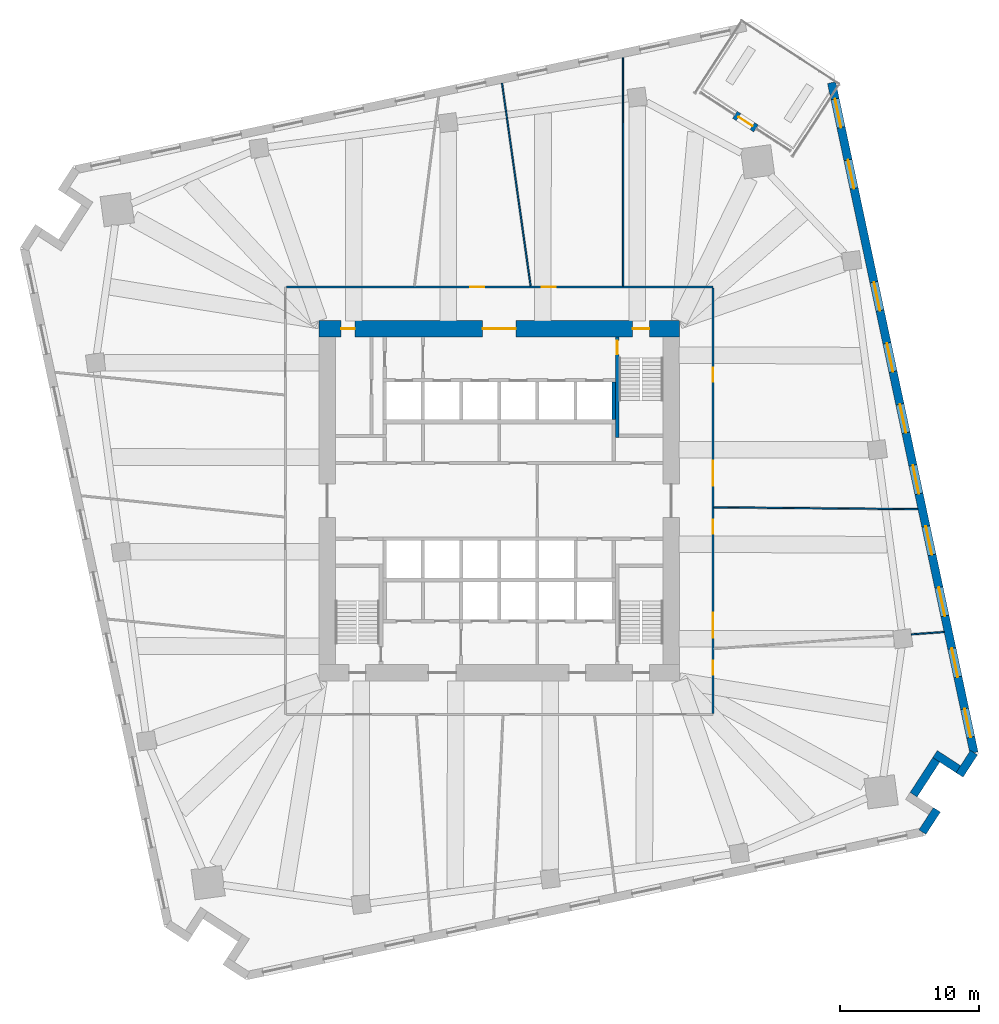
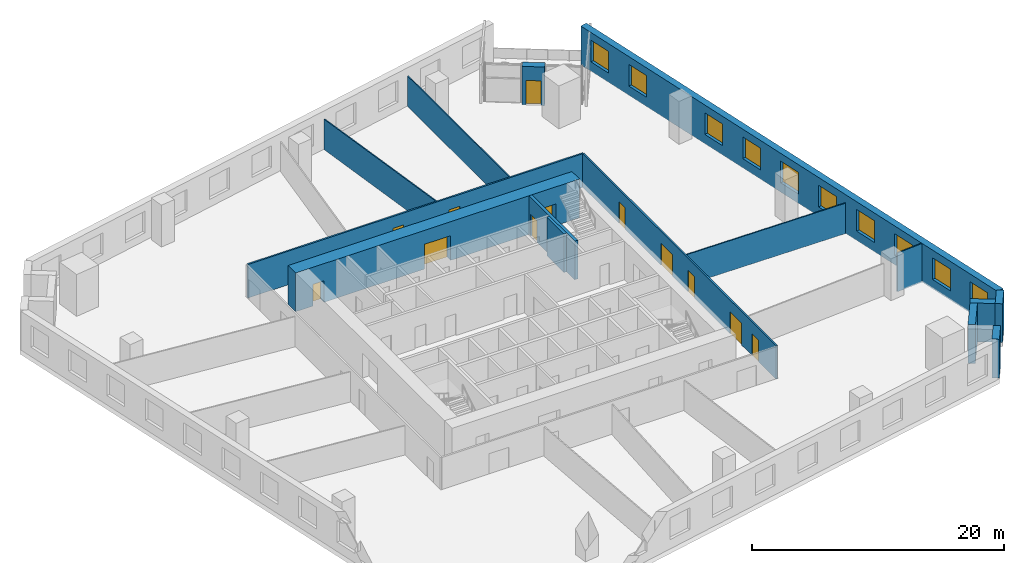
# One storey, part 7 of 10: 15 walls, 12 doors, 10 windows, 22 openings.
"""IFC4 building model written with IfcOpenShell, lengths in metres."""

from ifc_helpers import new_model, si_unit, direction, frame, frame_2d, origin, place, context, subcontext, project, spatial, rectangle, extrude, material, layer, layer_set, type_object, element, fill, save


model = new_model("IFC4")

# Units and contexts
model_context = context("Model", 3, precision=1e-05, world=origin(), true_north=direction((0.0, 1.0)))
body_context = subcontext(model_context, "Body", "Model", "MODEL_VIEW")
ifc_project = project(units=[si_unit("LENGTHUNIT", "METRE"), si_unit("AREAUNIT", "SQUARE_METRE"), si_unit("VOLUMEUNIT", "CUBIC_METRE"), si_unit("PLANEANGLEUNIT", "RADIAN"), si_unit("MASSUNIT", "GRAM", prefix="KILO")], contexts=[model_context])

# Site, building, storey
site_placement = place(None, origin())
site = spatial("IfcSite", under=ifc_project, at=site_placement, CompositionType="ELEMENT")
building_placement = place(site_placement, origin())
building = spatial("IfcBuilding", under=site, at=building_placement, Name="Dilmun Exchange Tower", CompositionType="ELEMENT")
storey_placement = place(building_placement, frame((0.0, 0.0, 72.300048828125)))
storey = spatial("IfcBuildingStorey", under=building, at=storey_placement, Name="L16", CompositionType="ELEMENT", Elevation=72.300048828125)

# Wall, openings, doors
ifc_material_1 = material(Name="Concrete C80/95", Category="concrete")
ifc_layer_1 = layer(ifc_material_1, 1.199951171875)
ifc_layer_set_1 = layer_set([ifc_layer_1], Name="Concrete C80/95")
wall_type_1 = type_object("IfcWallType", Name="Core shear wall 1200 Concrete C80/95", PredefinedType="SHEAR", material=ifc_layer_set_1)
wall_1_placement = place(storey_placement, frame((-13.0, 12.39990234375, 0.0), z_axis=(0.0, 0.0, 1.0), x_axis=(1.0, 0.0, 0.0)))
wall_1 = element("IfcWall", 1, at=wall_1_placement, inside=storey, type_object=wall_type_1, Name="L16 core shear wall N", PredefinedType="SHEAR", context=body_context, shape_type="SweptSolid", body=[
    extrude(rectangle(XDim=26.0, YDim=1.199951171875, at=frame_2d((13.0, 0.0))), origin(), (0.0, 0.0, 1.0), 3.75),
])
opening_1_placement = place(wall_1_placement, frame((11.800048828125, 0.0, 0.0)))
opening_1 = element("IfcOpeningElement", 2, at=opening_1_placement, cuts=wall_1, Name="Opening CD1", PredefinedType="OPENING", context=body_context, shape_type="SweptSolid", body=[
    extrude(rectangle(XDim=2.39990234375, YDim=2.39990234375, at=frame_2d((1.199951171875, 1.199951171875))), frame((0.0, 0.60986328125, 0.0), z_axis=(0.0, -1.0, 0.0), x_axis=(1.0, 0.0, 0.0)), (0.0, 0.0, 1.0), 1.219970703125),
])
opening_2_placement = place(wall_1_placement, frame((22.625, 0.0, 0.0)))
opening_2 = element("IfcOpeningElement", 3, at=opening_2_placement, cuts=wall_1, Name="Opening CD3", PredefinedType="OPENING", context=body_context, shape_type="SweptSolid", body=[
    extrude(rectangle(XDim=1.199951171875, YDim=2.10009765625, at=frame_2d((0.60009765625, 1.050048828125))), frame((0.0, 0.60986328125, 0.0), z_axis=(0.0, -1.0, 0.0), x_axis=(1.0, 0.0, 0.0)), (0.0, 0.0, 1.0), 1.219970703125),
])
opening_3_placement = place(wall_1_placement, frame((1.60009765625, 0.0, 0.0)))
opening_3 = element("IfcOpeningElement", 4, at=opening_3_placement, cuts=wall_1, Name="Opening CD4", PredefinedType="OPENING", context=body_context, shape_type="SweptSolid", body=[
    extrude(rectangle(XDim=1.0, YDim=2.10009765625, at=frame_2d((0.5, 1.050048828125))), frame((0.0, 0.60986328125, 0.0), z_axis=(0.0, -1.0, 0.0), x_axis=(1.0, 0.0, 0.0)), (0.0, 0.0, 1.0), 1.219970703125),
])
ifc_material_2 = material(Name="Fire-rated steel door set", Category="steel")
door_type_1 = type_object("IfcDoorType", Name="Core lobby door 2400x2400", OperationType="DOUBLE_DOOR_DOUBLE_SWING", PredefinedType="DOOR", material=ifc_material_2)
door_1_placement = place(opening_1_placement, origin())
door_1 = element("IfcDoor", 5, at=door_1_placement, inside=storey, type_object=door_type_1, Name="L16 door North lift lobby", OperationType="SINGLE_SWING_LEFT", OverallHeight=2.39990234375, OverallWidth=2.39990234375, PredefinedType="DOOR", context=body_context, shape_type="SweptSolid", body=[
    extrude(rectangle(XDim=2.39990234375, YDim=2.39990234375, at=frame_2d((1.199951171875, 1.199951171875))), frame((0.0, 0.02490234375, 0.0), z_axis=(0.0, -1.0, 0.0), x_axis=(1.0, 0.0, 0.0)), (0.0, 0.0, 1.0), 0.050048828125),
])
fill(opening_1, door_1)
door_type_2 = type_object("IfcDoorType", Name="Core room door 1000x2100", OperationType="SINGLE_SWING_LEFT", PredefinedType="DOOR", material=ifc_material_2)
door_2_placement = place(opening_3_placement, origin())
door_2 = element("IfcDoor", 6, at=door_2_placement, inside=storey, type_object=door_type_2, Name="L16 door North-west core rooms", OperationType="SINGLE_SWING_LEFT", OverallHeight=2.10009765625, OverallWidth=1.0, PredefinedType="DOOR", context=body_context, shape_type="SweptSolid", body=[
    extrude(rectangle(XDim=1.0, YDim=2.10009765625, at=frame_2d((0.5, 1.050048828125))), frame((0.0, 0.02490234375, 0.0), z_axis=(0.0, -1.0, 0.0), x_axis=(1.0, 0.0, 0.0)), (0.0, 0.0, 1.0), 0.050048828125),
])
fill(opening_3, door_2)
door_type_3 = type_object("IfcDoorType", Name="Stair exit door 1200x2100", OperationType="SINGLE_SWING_LEFT", PredefinedType="DOOR", material=ifc_material_2)
door_3_placement = place(opening_2_placement, origin())
door_3 = element("IfcDoor", 7, at=door_3_placement, inside=storey, type_object=door_type_3, Name="L16 door Stair ST1", OperationType="SINGLE_SWING_LEFT", OverallHeight=2.10009765625, OverallWidth=1.199951171875, PredefinedType="DOOR", context=body_context, shape_type="SweptSolid", body=[
    extrude(rectangle(XDim=1.199951171875, YDim=2.10009765625, at=frame_2d((0.60009765625, 1.050048828125))), frame((0.0, 0.02490234375, 0.0), z_axis=(0.0, -1.0, 0.0), x_axis=(1.0, 0.0, 0.0)), (0.0, 0.0, 1.0), 0.050048828125),
])
fill(opening_2, door_3)

ifc_material_3 = material(Name="Corridor wall 150")
ifc_layer_2 = layer(ifc_material_3, 0.14990234375)
ifc_layer_set_2 = layer_set([ifc_layer_2], Name="Corridor wall 150")
wall_type_2 = type_object("IfcWallType", Name="Corridor wall 150", PredefinedType="PARTITIONING", material=ifc_layer_set_2)
wall_2_placement = place(storey_placement, frame((-15.324951171875, 15.39990234375, 0.0), z_axis=(0.0, 0.0, 1.0), x_axis=(1.0, 0.0, 0.0)))
wall_2 = element("IfcWall", 8, at=wall_2_placement, inside=storey, type_object=wall_type_2, Name="Corridor wall", PredefinedType="PARTITIONING", context=body_context, shape_type="SweptSolid", body=[
    extrude(rectangle(XDim=30.724853515625, YDim=0.14990234375, at=frame_2d((15.3623046875, 0.0))), origin(), (0.0, 0.0, 1.0), 3.25),
])
opening_4_placement = place(wall_2_placement, frame((13.251953125, 0.0, 0.0)))
opening_4 = element("IfcOpeningElement", 9, at=opening_4_placement, cuts=wall_2, Name="Opening TF15-D08", PredefinedType="OPENING", context=body_context, shape_type="SweptSolid", body=[
    extrude(rectangle(XDim=1.0, YDim=2.10009765625, at=frame_2d((0.5, 1.050048828125))), frame((0.0, 0.0849609375, 0.0), z_axis=(0.0, -1.0, 0.0), x_axis=(1.0, 0.0, 0.0)), (0.0, 0.0, 1.0), 0.169921875),
])
opening_5_placement = place(wall_2_placement, frame((18.39501953125, 0.0, 0.0)))
opening_5 = element("IfcOpeningElement", 10, at=opening_5_placement, cuts=wall_2, Name="Opening TF15-D10", PredefinedType="OPENING", context=body_context, shape_type="SweptSolid", body=[
    extrude(rectangle(XDim=1.0, YDim=2.10009765625, at=frame_2d((0.5, 1.050048828125))), frame((0.0, 0.0849609375, 0.0), z_axis=(0.0, -1.0, 0.0), x_axis=(1.0, 0.0, 0.0)), (0.0, 0.0, 1.0), 0.169921875),
])
ifc_material_4 = material(Name="Fire door 1000 x 2100")
door_type_4 = type_object("IfcDoorType", Name="Fire door 1000 x 2100", OperationType="NOTDEFINED", PredefinedType="DOOR", material=ifc_material_4)
door_4_placement = place(opening_4_placement, origin())
door_4 = element("IfcDoor", 11, at=door_4_placement, inside=storey, type_object=door_type_4, Name="Door TF15-D08", OperationType="SINGLE_SWING_RIGHT", OverallHeight=2.10009765625, OverallWidth=1.0, PredefinedType="DOOR", context=body_context, shape_type="SweptSolid", body=[
    extrude(rectangle(XDim=1.0, YDim=2.10009765625, at=frame_2d((0.5, 1.050048828125))), frame((0.0, 0.02490234375, 0.0), z_axis=(0.0, -1.0, 0.0), x_axis=(1.0, 0.0, 0.0)), (0.0, 0.0, 1.0), 0.050048828125),
])
fill(opening_4, door_4)
door_5_placement = place(opening_5_placement, origin())
door_5 = element("IfcDoor", 12, at=door_5_placement, inside=storey, type_object=door_type_4, Name="Door TF15-D10", OperationType="SINGLE_SWING_LEFT", OverallHeight=2.10009765625, OverallWidth=1.0, PredefinedType="DOOR", context=body_context, shape_type="SweptSolid", body=[
    extrude(rectangle(XDim=1.0, YDim=2.10009765625, at=frame_2d((0.5, 1.050048828125))), frame((0.0, 0.02490234375, 0.0), z_axis=(0.0, -1.0, 0.0), x_axis=(1.0, 0.0, 0.0)), (0.0, 0.0, 1.0), 0.050048828125),
])
fill(opening_5, door_5)

wall_3_placement = place(storey_placement, frame((15.39990234375, -15.324951171875, 0.0), z_axis=(0.0, 0.0, 1.0), x_axis=(0.0, 1.0, 0.0)))
wall_3 = element("IfcWall", 13, at=wall_3_placement, inside=storey, type_object=wall_type_2, Name="Corridor wall", PredefinedType="PARTITIONING", context=body_context, shape_type="SweptSolid", body=[
    extrude(rectangle(XDim=30.64990234375, YDim=0.14990234375, at=frame_2d((15.324951171875, 0.0))), origin(), (0.0, 0.0, 1.0), 3.25),
])
opening_6_placement = place(wall_3_placement, frame((16.405029296875, 0.0, 0.0)))
opening_6 = element("IfcOpeningElement", 14, at=opening_6_placement, cuts=wall_3, Name="Opening TF15-D11", PredefinedType="OPENING", context=body_context, shape_type="SweptSolid", body=[
    extrude(rectangle(XDim=1.800048828125, YDim=2.10009765625, at=frame_2d((0.89990234375, 1.050048828125))), frame((0.0, 0.0849609375, 0.0), z_axis=(0.0, -1.0, 0.0), x_axis=(1.0, 0.0, 0.0)), (0.0, 0.0, 1.0), 0.169921875),
])
opening_7_placement = place(wall_3_placement, frame((23.905029296875, 0.0, 0.0)))
opening_7 = element("IfcOpeningElement", 15, at=opening_7_placement, cuts=wall_3, Name="Opening TF15-D12", PredefinedType="OPENING", context=body_context, shape_type="SweptSolid", body=[
    extrude(rectangle(XDim=1.0, YDim=2.10009765625, at=frame_2d((0.5, 1.050048828125))), frame((0.0, 0.0849609375, 0.0), z_axis=(0.0, -1.0, 0.0), x_axis=(1.0, 0.0, 0.0)), (0.0, 0.0, 1.0), 0.169921875),
])
opening_8_placement = place(wall_3_placement, frame((2.800048828125, 0.0, 0.0)))
opening_8 = element("IfcOpeningElement", 16, at=opening_8_placement, cuts=wall_3, Name="Opening TF15-D14", PredefinedType="OPENING", context=body_context, shape_type="SweptSolid", body=[
    extrude(rectangle(XDim=1.0, YDim=2.10009765625, at=frame_2d((0.5, 1.050048828125))), frame((0.0, 0.0849609375, 0.0), z_axis=(0.0, -1.0, 0.0), x_axis=(1.0, 0.0, 0.0)), (0.0, 0.0, 1.0), 0.169921875),
])
opening_9_placement = place(wall_3_placement, frame((5.454833984375, 0.0, 0.0)))
opening_9 = element("IfcOpeningElement", 17, at=opening_9_placement, cuts=wall_3, Name="Opening TF15-D15", PredefinedType="OPENING", context=body_context, shape_type="SweptSolid", body=[
    extrude(rectangle(XDim=1.800048828125, YDim=2.10009765625, at=frame_2d((0.89990234375, 1.050048828125))), frame((0.0, 0.0849609375, 0.0), z_axis=(0.0, -1.0, 0.0), x_axis=(1.0, 0.0, 0.0)), (0.0, 0.0, 1.0), 0.169921875),
])
opening_10_placement = place(wall_3_placement, frame((12.954833984375, 0.0, 0.0)))
opening_10 = element("IfcOpeningElement", 18, at=opening_10_placement, cuts=wall_3, Name="Opening TF15-D16", PredefinedType="OPENING", context=body_context, shape_type="SweptSolid", body=[
    extrude(rectangle(XDim=1.0, YDim=2.10009765625, at=frame_2d((0.5, 1.050048828125))), frame((0.0, 0.0849609375, 0.0), z_axis=(0.0, -1.0, 0.0), x_axis=(1.0, 0.0, 0.0)), (0.0, 0.0, 1.0), 0.169921875),
])
door_6_placement = place(opening_7_placement, frame((1.0, 0.0, 0.0), z_axis=(0.0, 0.0, 1.0), x_axis=(-1.0, 0.0, 0.0)))
door_6 = element("IfcDoor", 19, at=door_6_placement, inside=storey, type_object=door_type_4, Name="Door TF15-D12", OperationType="SINGLE_SWING_RIGHT", OverallHeight=2.10009765625, OverallWidth=1.0, PredefinedType="DOOR", context=body_context, shape_type="SweptSolid", body=[
    extrude(rectangle(XDim=1.0, YDim=2.10009765625, at=frame_2d((0.5, 1.050048828125))), frame((0.0, 0.02490234375, 0.0), z_axis=(0.0, -1.0, 0.0), x_axis=(1.0, 0.0, 0.0)), (0.0, 0.0, 1.0), 0.050048828125),
])
fill(opening_7, door_6)
door_7_placement = place(opening_8_placement, frame((1.0, 0.0, 0.0), z_axis=(0.0, 0.0, 1.0), x_axis=(-1.0, 0.0, 0.0)))
door_7 = element("IfcDoor", 20, at=door_7_placement, inside=storey, type_object=door_type_4, Name="Door TF15-D14", OperationType="SINGLE_SWING_LEFT", OverallHeight=2.10009765625, OverallWidth=1.0, PredefinedType="DOOR", context=body_context, shape_type="SweptSolid", body=[
    extrude(rectangle(XDim=1.0, YDim=2.10009765625, at=frame_2d((0.5, 1.050048828125))), frame((0.0, 0.02490234375, 0.0), z_axis=(0.0, -1.0, 0.0), x_axis=(1.0, 0.0, 0.0)), (0.0, 0.0, 1.0), 0.050048828125),
])
fill(opening_8, door_7)
door_8_placement = place(opening_10_placement, frame((1.0, 0.0, 0.0), z_axis=(0.0, 0.0, 1.0), x_axis=(-1.0, 0.0, 0.0)))
door_8 = element("IfcDoor", 21, at=door_8_placement, inside=storey, type_object=door_type_4, Name="Door TF15-D16", OperationType="SINGLE_SWING_LEFT", OverallHeight=2.10009765625, OverallWidth=1.0, PredefinedType="DOOR", context=body_context, shape_type="SweptSolid", body=[
    extrude(rectangle(XDim=1.0, YDim=2.10009765625, at=frame_2d((0.5, 1.050048828125))), frame((0.0, 0.02490234375, 0.0), z_axis=(0.0, -1.0, 0.0), x_axis=(1.0, 0.0, 0.0)), (0.0, 0.0, 1.0), 0.050048828125),
])
fill(opening_10, door_8)
ifc_material_5 = material(Name="Fire door pair 1800 x 2100")
door_type_5 = type_object("IfcDoorType", Name="Fire door pair 1800 x 2100", OperationType="NOTDEFINED", PredefinedType="DOOR", material=ifc_material_5)
door_9_placement = place(opening_6_placement, frame((1.800048828125, 0.0, 0.0), z_axis=(0.0, 0.0, 1.0), x_axis=(-1.0, 0.0, 0.0)))
door_9 = element("IfcDoor", 22, at=door_9_placement, inside=storey, type_object=door_type_5, Name="Door TF15-D11", OperationType="DOUBLE_DOOR_SINGLE_SWING", OverallHeight=2.10009765625, OverallWidth=1.800048828125, PredefinedType="DOOR", context=body_context, shape_type="SweptSolid", body=[
    extrude(rectangle(XDim=1.800048828125, YDim=2.10009765625, at=frame_2d((0.89990234375, 1.050048828125))), frame((0.0, 0.02490234375, 0.0), z_axis=(0.0, -1.0, 0.0), x_axis=(1.0, 0.0, 0.0)), (0.0, 0.0, 1.0), 0.050048828125),
])
fill(opening_6, door_9)
door_10_placement = place(opening_9_placement, frame((1.800048828125, 0.0, 0.0), z_axis=(0.0, 0.0, 1.0), x_axis=(-1.0, 0.0, 0.0)))
door_10 = element("IfcDoor", 23, at=door_10_placement, inside=storey, type_object=door_type_5, Name="Door TF15-D15", OperationType="DOUBLE_DOOR_SINGLE_SWING", OverallHeight=2.10009765625, OverallWidth=1.800048828125, PredefinedType="DOOR", context=body_context, shape_type="SweptSolid", body=[
    extrude(rectangle(XDim=1.800048828125, YDim=2.10009765625, at=frame_2d((0.89990234375, 1.050048828125))), frame((0.0, 0.02490234375, 0.0), z_axis=(0.0, -1.0, 0.0), x_axis=(1.0, 0.0, 0.0)), (0.0, 0.0, 1.0), 0.050048828125),
])
fill(opening_9, door_10)

# Walls
ifc_material_6 = material(Name="Concrete C40/50", Category="concrete")
ifc_layer_3 = layer(ifc_material_6, 0.25)
ifc_layer_set_3 = layer_set([ifc_layer_3], Name="Concrete C40/50")
wall_type_3 = type_object("IfcWallType", Name="Lift shaft wall 250", PredefinedType="SOLIDWALL", material=ifc_layer_set_3)
wall_4_placement = place(storey_placement, frame((8.25, 5.85009765625, 0.0), z_axis=(0.0, 0.0, 1.0), x_axis=(0.0, 1.0, 0.0)))
element("IfcWall", 24, at=wall_4_placement, inside=storey, type_object=wall_type_3, Name="L16 lift shaft divider N26", PredefinedType="SOLIDWALL", context=body_context, shape_type="SweptSolid", body=[
    extrude(rectangle(XDim=2.699951171875, YDim=0.25, at=frame_2d((1.35009765625, 0.0))), origin(), (0.0, 0.0, 1.0), 3.75),
])
ifc_material_7 = material(Name="Partition 100")
ifc_layer_4 = layer(ifc_material_7, 0.10009765625)
ifc_layer_set_4 = layer_set([ifc_layer_4], Name="Partition 100")
wall_type_4 = type_object("IfcWallType", Name="Partition 100", PredefinedType="PARTITIONING", material=ifc_layer_set_4)
wall_5_placement = place(storey_placement, frame((0.204345703125, 30.09814453125, 0.0), z_axis=(0.0, 0.0, 1.0), x_axis=(0.139564003069, -0.990213052352, 0.0)))
element("IfcWall", 25, at=wall_5_placement, inside=storey, type_object=wall_type_4, Name="Partition", PredefinedType="PARTITIONING", context=body_context, shape_type="SweptSolid", body=[
    extrude(rectangle(XDim=14.7607421875, YDim=0.10009765625, at=frame_2d((7.38037109375, 0.0))), origin(), (0.0, 0.0, 1.0), 2.949951171875),
])
wall_6_placement = place(storey_placement, frame((8.92431640625, 31.95166015625, 0.0), z_axis=(0.0, 0.0, 1.0), x_axis=(0.000592697857, -0.999999824355, 0.0)))
element("IfcWall", 26, at=wall_6_placement, inside=storey, type_object=wall_type_4, Name="Partition", PredefinedType="PARTITIONING", context=body_context, shape_type="SweptSolid", body=[
    extrude(rectangle(XDim=16.4765625, YDim=0.10009765625, at=frame_2d((8.23828125, 0.0))), origin(), (0.0, 0.0, 1.0), 2.949951171875),
])
wall_7_placement = place(storey_placement, frame((15.4755859375, -0.470703125, 0.0), z_axis=(0.0, 0.0, 1.0), x_axis=(0.999958628106, -0.009096267192, 0.0)))
element("IfcWall", 27, at=wall_7_placement, inside=storey, type_object=wall_type_4, Name="Partition", PredefinedType="PARTITIONING", context=body_context, shape_type="SweptSolid", body=[
    extrude(rectangle(XDim=14.7080078125, YDim=0.10009765625, at=frame_2d((7.35400390625, 0.0))), origin(), (0.0, 0.0, 1.0), 2.949951171875),
])
wall_8_placement = place(storey_placement, frame((29.706298828125, -9.62890625, 0.0), z_axis=(0.0, 0.0, 1.0), x_axis=(0.997355486737, 0.072677596798, 0.0)))
element("IfcWall", 28, at=wall_8_placement, inside=storey, type_object=wall_type_4, Name="Partition", PredefinedType="PARTITIONING", context=body_context, shape_type="SweptSolid", body=[
    extrude(rectangle(XDim=2.364990234375, YDim=0.10009765625, at=frame_2d((1.1826171875, 0.0))), origin(), (0.0, 0.0, 1.0), 3.75),
])
ifc_material_8 = material(Name="Precast concrete C50/60", Category="concrete")
ifc_layer_5 = layer(ifc_material_8, 0.60009765625)
ifc_layer_set_5 = layer_set([ifc_layer_5], Name="Precast concrete C50/60")
wall_type_5 = type_object("IfcWallType", Name="Precast stone-clad wall 600", PredefinedType="STANDARD", material=ifc_layer_set_5)
wall_9_placement = place(storey_placement, frame((30.507080078125, -23.87890625, 0.0), z_axis=(0.0, 0.0, 1.0), x_axis=(0.5446964617, 0.838633271825, 0.0)))
element("IfcWall", 29, at=wall_9_placement, inside=storey, type_object=wall_type_5, Name="Facade wall L16-16", PredefinedType="STANDARD", context=body_context, shape_type="SweptSolid", body=[
    extrude(rectangle(XDim=1.9111328125, YDim=0.60009765625, at=frame_2d((0.95556640625, 0.0))), origin(), (0.0, 0.0, 1.0), 3.75),
])
wall_10_placement = place(storey_placement, frame((29.87060546875, -21.186767578125, 0.0), z_axis=(0.0, 0.0, 1.0), x_axis=(0.54468796124, 0.838638792855, 0.0)))
element("IfcWall", 30, at=wall_10_placement, inside=storey, type_object=wall_type_5, Name="Facade wall L16-18", PredefinedType="STANDARD", context=body_context, shape_type="SweptSolid", body=[
    extrude(rectangle(XDim=3.0, YDim=0.60009765625, at=frame_2d((1.5, 0.0))), origin(), (0.0, 0.0, 1.0), 3.75),
])
wall_11_placement = place(storey_placement, frame((31.41650390625, -18.255859375, 0.0), z_axis=(0.0, 0.0, 1.0), x_axis=(0.838638792855, -0.54468796124, 0.0)))
element("IfcWall", 31, at=wall_11_placement, inside=storey, type_object=wall_type_5, Name="Facade wall L16-19", PredefinedType="STANDARD", context=body_context, shape_type="SweptSolid", body=[
    extrude(rectangle(XDim=2.0, YDim=0.60009765625, at=frame_2d((1.0, 0.0))), origin(), (0.0, 0.0, 1.0), 3.75),
])
wall_12_placement = place(storey_placement, frame((33.181884765625, -19.760009765625, 0.0), z_axis=(0.0, 0.0, 1.0), x_axis=(0.5446964617, 0.838633271825, 0.0)))
element("IfcWall", 32, at=wall_12_placement, inside=storey, type_object=wall_type_5, Name="Facade wall L16-20", PredefinedType="STANDARD", context=body_context, shape_type="SweptSolid", body=[
    extrude(rectangle(XDim=1.9111328125, YDim=0.60009765625, at=frame_2d((0.95556640625, 0.0))), origin(), (0.0, 0.0, 1.0), 3.75),
])

# Wall, openings, windows
wall_13_placement = place(storey_placement, frame((34.222900390625, -18.1572265625, 0.0), z_axis=(0.0, 0.0, 1.0), x_axis=(-0.207912687805, 0.978147388817, 0.0)))
wall_13 = element("IfcWall", 33, at=wall_13_placement, inside=storey, type_object=wall_type_5, Name="Facade wall L16-21", PredefinedType="STANDARD", context=body_context, shape_type="SweptSolid", body=[
    extrude(rectangle(XDim=49.3759765625, YDim=0.60009765625, at=frame_2d((24.68798828125, 0.0))), origin(), (0.0, 0.0, 1.0), 3.75),
])
opening_11_placement = place(wall_13_placement, frame((1.137939453125, 0.0, 0.89990234375)))
opening_11 = element("IfcOpeningElement", 34, at=opening_11_placement, cuts=wall_13, Name="Opening W210-210", PredefinedType="OPENING", context=body_context, shape_type="SweptSolid", body=[
    extrude(rectangle(XDim=2.10009765625, YDim=2.10009765625, at=frame_2d((1.050048828125, 1.050048828125))), frame((0.0, 0.31005859375, 0.0), z_axis=(0.0, -1.0, 0.0), x_axis=(1.0, 0.0, 0.0)), (0.0, 0.0, 1.0), 0.6201171875),
])
opening_12_placement = place(wall_13_placement, frame((5.57568359375, 0.0, 0.89990234375)))
opening_12 = element("IfcOpeningElement", 35, at=opening_12_placement, cuts=wall_13, Name="Opening W210-210", PredefinedType="OPENING", context=body_context, shape_type="SweptSolid", body=[
    extrude(rectangle(XDim=2.10009765625, YDim=2.10009765625, at=frame_2d((1.050048828125, 1.050048828125))), frame((0.0, 0.31005859375, 0.0), z_axis=(0.0, -1.0, 0.0), x_axis=(1.0, 0.0, 0.0)), (0.0, 0.0, 1.0), 0.6201171875),
])
opening_13_placement = place(wall_13_placement, frame((10.07568359375, 0.0, 0.89990234375)))
opening_13 = element("IfcOpeningElement", 36, at=opening_13_placement, cuts=wall_13, Name="Opening W210-210", PredefinedType="OPENING", context=body_context, shape_type="SweptSolid", body=[
    extrude(rectangle(XDim=2.10009765625, YDim=2.10009765625, at=frame_2d((1.050048828125, 1.050048828125))), frame((0.0, 0.31005859375, 0.0), z_axis=(0.0, -1.0, 0.0), x_axis=(1.0, 0.0, 0.0)), (0.0, 0.0, 1.0), 0.6201171875),
])
opening_14_placement = place(wall_13_placement, frame((14.57568359375, 0.0, 0.89990234375)))
opening_14 = element("IfcOpeningElement", 37, at=opening_14_placement, cuts=wall_13, Name="Opening W210-210", PredefinedType="OPENING", context=body_context, shape_type="SweptSolid", body=[
    extrude(rectangle(XDim=2.10009765625, YDim=2.10009765625, at=frame_2d((1.050048828125, 1.050048828125))), frame((0.0, 0.31005859375, 0.0), z_axis=(0.0, -1.0, 0.0), x_axis=(1.0, 0.0, 0.0)), (0.0, 0.0, 1.0), 0.6201171875),
])
opening_15_placement = place(wall_13_placement, frame((19.07568359375, 0.0, 0.89990234375)))
opening_15 = element("IfcOpeningElement", 38, at=opening_15_placement, cuts=wall_13, Name="Opening W210-210", PredefinedType="OPENING", context=body_context, shape_type="SweptSolid", body=[
    extrude(rectangle(XDim=2.10009765625, YDim=2.10009765625, at=frame_2d((1.050048828125, 1.050048828125))), frame((0.0, 0.31005859375, 0.0), z_axis=(0.0, -1.0, 0.0), x_axis=(1.0, 0.0, 0.0)), (0.0, 0.0, 1.0), 0.6201171875),
])
opening_16_placement = place(wall_13_placement, frame((23.57568359375, 0.0, 0.89990234375)))
opening_16 = element("IfcOpeningElement", 39, at=opening_16_placement, cuts=wall_13, Name="Opening W210-210", PredefinedType="OPENING", context=body_context, shape_type="SweptSolid", body=[
    extrude(rectangle(XDim=2.10009765625, YDim=2.10009765625, at=frame_2d((1.050048828125, 1.050048828125))), frame((0.0, 0.31005859375, 0.0), z_axis=(0.0, -1.0, 0.0), x_axis=(1.0, 0.0, 0.0)), (0.0, 0.0, 1.0), 0.6201171875),
])
opening_17_placement = place(wall_13_placement, frame((28.07568359375, 0.0, 0.89990234375)))
opening_17 = element("IfcOpeningElement", 40, at=opening_17_placement, cuts=wall_13, Name="Opening W210-210", PredefinedType="OPENING", context=body_context, shape_type="SweptSolid", body=[
    extrude(rectangle(XDim=2.10009765625, YDim=2.10009765625, at=frame_2d((1.050048828125, 1.050048828125))), frame((0.0, 0.31005859375, 0.0), z_axis=(0.0, -1.0, 0.0), x_axis=(1.0, 0.0, 0.0)), (0.0, 0.0, 1.0), 0.6201171875),
])
opening_18_placement = place(wall_13_placement, frame((32.57568359375, 0.0, 0.89990234375)))
opening_18 = element("IfcOpeningElement", 41, at=opening_18_placement, cuts=wall_13, Name="Opening W210-210", PredefinedType="OPENING", context=body_context, shape_type="SweptSolid", body=[
    extrude(rectangle(XDim=2.10009765625, YDim=2.10009765625, at=frame_2d((1.050048828125, 1.050048828125))), frame((0.0, 0.31005859375, 0.0), z_axis=(0.0, -1.0, 0.0), x_axis=(1.0, 0.0, 0.0)), (0.0, 0.0, 1.0), 0.6201171875),
])
opening_19_placement = place(wall_13_placement, frame((41.57568359375, 0.0, 0.89990234375)))
opening_19 = element("IfcOpeningElement", 42, at=opening_19_placement, cuts=wall_13, Name="Opening W210-210", PredefinedType="OPENING", context=body_context, shape_type="SweptSolid", body=[
    extrude(rectangle(XDim=2.10009765625, YDim=2.10009765625, at=frame_2d((1.050048828125, 1.050048828125))), frame((0.0, 0.31005859375, 0.0), z_axis=(0.0, -1.0, 0.0), x_axis=(1.0, 0.0, 0.0)), (0.0, 0.0, 1.0), 0.6201171875),
])
opening_20_placement = place(wall_13_placement, frame((46.07568359375, 0.0, 0.89990234375)))
opening_20 = element("IfcOpeningElement", 43, at=opening_20_placement, cuts=wall_13, Name="Opening W210-210", PredefinedType="OPENING", context=body_context, shape_type="SweptSolid", body=[
    extrude(rectangle(XDim=2.10009765625, YDim=2.10009765625, at=frame_2d((1.050048828125, 1.050048828125))), frame((0.0, 0.31005859375, 0.0), z_axis=(0.0, -1.0, 0.0), x_axis=(1.0, 0.0, 0.0)), (0.0, 0.0, 1.0), 0.6201171875),
])
ifc_material_9 = material(Name="Clear low-emissivity glass in aluminium frame", Category="aluminium")
window_type = type_object("IfcWindowType", Name="Punched window 2100 x 2100", PartitioningType="DOUBLE_PANEL_VERTICAL", PredefinedType="WINDOW", material=ifc_material_9)
window_1_placement = place(opening_11_placement, origin())
window_1 = element("IfcWindow", 44, at=window_1_placement, inside=storey, type_object=window_type, Name="Window 22.1", OverallHeight=2.10009765625, OverallWidth=2.10009765625, PartitioningType="SINGLE_PANEL", PredefinedType="WINDOW", context=body_context, shape_type="SweptSolid", body=[
    extrude(rectangle(XDim=2.10009765625, YDim=2.10009765625, at=frame_2d((1.050048828125, 1.050048828125))), frame((0.0, 0.030029296875, 0.0), z_axis=(0.0, -1.0, 0.0), x_axis=(1.0, 0.0, 0.0)), (0.0, 0.0, 1.0), 0.06005859375),
])
fill(opening_11, window_1)
window_2_placement = place(opening_12_placement, origin())
window_2 = element("IfcWindow", 45, at=window_2_placement, inside=storey, type_object=window_type, Name="Window 22.2", OverallHeight=2.10009765625, OverallWidth=2.10009765625, PartitioningType="SINGLE_PANEL", PredefinedType="WINDOW", context=body_context, shape_type="SweptSolid", body=[
    extrude(rectangle(XDim=2.10009765625, YDim=2.10009765625, at=frame_2d((1.050048828125, 1.050048828125))), frame((0.0, 0.030029296875, 0.0), z_axis=(0.0, -1.0, 0.0), x_axis=(1.0, 0.0, 0.0)), (0.0, 0.0, 1.0), 0.06005859375),
])
fill(opening_12, window_2)
window_3_placement = place(opening_13_placement, origin())
window_3 = element("IfcWindow", 46, at=window_3_placement, inside=storey, type_object=window_type, Name="Window 22.3", OverallHeight=2.10009765625, OverallWidth=2.10009765625, PartitioningType="SINGLE_PANEL", PredefinedType="WINDOW", context=body_context, shape_type="SweptSolid", body=[
    extrude(rectangle(XDim=2.10009765625, YDim=2.10009765625, at=frame_2d((1.050048828125, 1.050048828125))), frame((0.0, 0.030029296875, 0.0), z_axis=(0.0, -1.0, 0.0), x_axis=(1.0, 0.0, 0.0)), (0.0, 0.0, 1.0), 0.06005859375),
])
fill(opening_13, window_3)
window_4_placement = place(opening_14_placement, origin())
window_4 = element("IfcWindow", 47, at=window_4_placement, inside=storey, type_object=window_type, Name="Window 22.4", OverallHeight=2.10009765625, OverallWidth=2.10009765625, PartitioningType="SINGLE_PANEL", PredefinedType="WINDOW", context=body_context, shape_type="SweptSolid", body=[
    extrude(rectangle(XDim=2.10009765625, YDim=2.10009765625, at=frame_2d((1.050048828125, 1.050048828125))), frame((0.0, 0.030029296875, 0.0), z_axis=(0.0, -1.0, 0.0), x_axis=(1.0, 0.0, 0.0)), (0.0, 0.0, 1.0), 0.06005859375),
])
fill(opening_14, window_4)
window_5_placement = place(opening_15_placement, origin())
window_5 = element("IfcWindow", 48, at=window_5_placement, inside=storey, type_object=window_type, Name="Window 22.5", OverallHeight=2.10009765625, OverallWidth=2.10009765625, PartitioningType="SINGLE_PANEL", PredefinedType="WINDOW", context=body_context, shape_type="SweptSolid", body=[
    extrude(rectangle(XDim=2.10009765625, YDim=2.10009765625, at=frame_2d((1.050048828125, 1.050048828125))), frame((0.0, 0.030029296875, 0.0), z_axis=(0.0, -1.0, 0.0), x_axis=(1.0, 0.0, 0.0)), (0.0, 0.0, 1.0), 0.06005859375),
])
fill(opening_15, window_5)
window_6_placement = place(opening_16_placement, origin())
window_6 = element("IfcWindow", 49, at=window_6_placement, inside=storey, type_object=window_type, Name="Window 22.6", OverallHeight=2.10009765625, OverallWidth=2.10009765625, PartitioningType="SINGLE_PANEL", PredefinedType="WINDOW", context=body_context, shape_type="SweptSolid", body=[
    extrude(rectangle(XDim=2.10009765625, YDim=2.10009765625, at=frame_2d((1.050048828125, 1.050048828125))), frame((0.0, 0.030029296875, 0.0), z_axis=(0.0, -1.0, 0.0), x_axis=(1.0, 0.0, 0.0)), (0.0, 0.0, 1.0), 0.06005859375),
])
fill(opening_16, window_6)
window_7_placement = place(opening_17_placement, origin())
window_7 = element("IfcWindow", 50, at=window_7_placement, inside=storey, type_object=window_type, Name="Window 22.7", OverallHeight=2.10009765625, OverallWidth=2.10009765625, PartitioningType="SINGLE_PANEL", PredefinedType="WINDOW", context=body_context, shape_type="SweptSolid", body=[
    extrude(rectangle(XDim=2.10009765625, YDim=2.10009765625, at=frame_2d((1.050048828125, 1.050048828125))), frame((0.0, 0.030029296875, 0.0), z_axis=(0.0, -1.0, 0.0), x_axis=(1.0, 0.0, 0.0)), (0.0, 0.0, 1.0), 0.06005859375),
])
fill(opening_17, window_7)
window_8_placement = place(opening_18_placement, origin())
window_8 = element("IfcWindow", 51, at=window_8_placement, inside=storey, type_object=window_type, Name="Window 22.8", OverallHeight=2.10009765625, OverallWidth=2.10009765625, PartitioningType="SINGLE_PANEL", PredefinedType="WINDOW", context=body_context, shape_type="SweptSolid", body=[
    extrude(rectangle(XDim=2.10009765625, YDim=2.10009765625, at=frame_2d((1.050048828125, 1.050048828125))), frame((0.0, 0.030029296875, 0.0), z_axis=(0.0, -1.0, 0.0), x_axis=(1.0, 0.0, 0.0)), (0.0, 0.0, 1.0), 0.06005859375),
])
fill(opening_18, window_8)
window_9_placement = place(opening_19_placement, origin())
window_9 = element("IfcWindow", 52, at=window_9_placement, inside=storey, type_object=window_type, Name="Window 22.10", OverallHeight=2.10009765625, OverallWidth=2.10009765625, PartitioningType="SINGLE_PANEL", PredefinedType="WINDOW", context=body_context, shape_type="SweptSolid", body=[
    extrude(rectangle(XDim=2.10009765625, YDim=2.10009765625, at=frame_2d((1.050048828125, 1.050048828125))), frame((0.0, 0.030029296875, 0.0), z_axis=(0.0, -1.0, 0.0), x_axis=(1.0, 0.0, 0.0)), (0.0, 0.0, 1.0), 0.06005859375),
])
fill(opening_19, window_9)
window_10_placement = place(opening_20_placement, origin())
window_10 = element("IfcWindow", 53, at=window_10_placement, inside=storey, type_object=window_type, Name="Window 22.11", OverallHeight=2.10009765625, OverallWidth=2.10009765625, PartitioningType="SINGLE_PANEL", PredefinedType="WINDOW", context=body_context, shape_type="SweptSolid", body=[
    extrude(rectangle(XDim=2.10009765625, YDim=2.10009765625, at=frame_2d((1.050048828125, 1.050048828125))), frame((0.0, 0.030029296875, 0.0), z_axis=(0.0, -1.0, 0.0), x_axis=(1.0, 0.0, 0.0)), (0.0, 0.0, 1.0), 0.06005859375),
])
fill(opening_20, window_10)

# Wall, opening, door
wall_14_placement = place(storey_placement, frame((18.505126953125, 26.8427734375, 0.0), z_axis=(0.0, 0.0, 1.0), x_axis=(-0.838626401191, 0.544707039816, 0.0)))
wall_14 = element("IfcWall", 54, at=wall_14_placement, inside=storey, type_object=wall_type_5, Name="Facade wall L16-01-D", PredefinedType="STANDARD", context=body_context, shape_type="SweptSolid", body=[
    extrude(rectangle(XDim=1.800048828125, YDim=0.60009765625, at=frame_2d((0.89990234375, 0.0))), origin(), (0.0, 0.0, 1.0), 3.75),
])
opening_21_placement = place(wall_14_placement, frame((0.300048828125, 0.0, 0.0)))
opening_21 = element("IfcOpeningElement", 55, at=opening_21_placement, cuts=wall_14, Name="Opening GD-1", PredefinedType="OPENING", context=body_context, shape_type="SweptSolid", body=[
    extrude(rectangle(XDim=1.199951171875, YDim=2.39990234375, at=frame_2d((0.60009765625, 1.199951171875))), frame((0.0, 0.31005859375, 0.0), z_axis=(0.0, -1.0, 0.0), x_axis=(1.0, 0.0, 0.0)), (0.0, 0.0, 1.0), 0.6201171875),
])
door_type_6 = type_object("IfcDoorType", Name="Glazed garden door 1200 x 2400", OperationType="SINGLE_SWING_LEFT", PredefinedType="DOOR", material=ifc_material_9)
door_11_placement = place(opening_21_placement, origin())
door_11 = element("IfcDoor", 56, at=door_11_placement, inside=storey, type_object=door_type_6, Name="Garden terrace door", OperationType="SINGLE_SWING_LEFT", OverallHeight=2.39990234375, OverallWidth=1.199951171875, PredefinedType="DOOR", context=body_context, shape_type="SweptSolid", body=[
    extrude(rectangle(XDim=1.199951171875, YDim=2.39990234375, at=frame_2d((0.60009765625, 1.199951171875))), frame((0.0, 0.02490234375, 0.0), z_axis=(0.0, -1.0, 0.0), x_axis=(1.0, 0.0, 0.0)), (0.0, 0.0, 1.0), 0.050048828125),
])
fill(opening_21, door_11)

ifc_layer_6 = layer(ifc_material_6, 0.27490234375)
ifc_layer_set_6 = layer_set([ifc_layer_6], Name="Concrete C40/50")
wall_type_6 = type_object("IfcWallType", Name="Stair wall 275", PredefinedType="SOLIDWALL", material=ifc_layer_set_6)
wall_15_placement = place(storey_placement, frame((8.512451171875, 4.550048828125, 0.0), z_axis=(0.0, 0.0, 1.0), x_axis=(0.0, 1.0, 0.0)))
wall_15 = element("IfcWall", 57, at=wall_15_placement, inside=storey, type_object=wall_type_6, Name="L16 ST1 wall to lift block", PredefinedType="SOLIDWALL", context=body_context, shape_type="SweptSolid", body=[
    extrude(rectangle(XDim=7.25, YDim=0.27490234375, at=frame_2d((3.625, 0.0))), origin(), (0.0, 0.0, 1.0), 3.75),
])
opening_22_placement = place(wall_15_placement, frame((6.0, 0.0, 0.0)))
opening_22 = element("IfcOpeningElement", 58, at=opening_22_placement, cuts=wall_15, Name="Opening CD4", PredefinedType="OPENING", context=body_context, shape_type="SweptSolid", body=[
    extrude(rectangle(XDim=1.0, YDim=2.10009765625, at=frame_2d((0.5, 1.050048828125))), frame((0.0, 0.1474609375, 0.0), z_axis=(0.0, -1.0, 0.0), x_axis=(1.0, 0.0, 0.0)), (0.0, 0.0, 1.0), 0.294921875),
])
door_12_placement = place(opening_22_placement, origin())
door_12 = element("IfcDoor", 59, at=door_12_placement, inside=storey, type_object=door_type_2, Name="L16 door ST1 from lobby", OperationType="SINGLE_SWING_LEFT", OverallHeight=2.10009765625, OverallWidth=1.0, PredefinedType="DOOR", context=body_context, shape_type="SweptSolid", body=[
    extrude(rectangle(XDim=1.0, YDim=2.10009765625, at=frame_2d((0.5, 1.050048828125))), frame((0.0, 0.02490234375, 0.0), z_axis=(0.0, -1.0, 0.0), x_axis=(1.0, 0.0, 0.0)), (0.0, 0.0, 1.0), 0.050048828125),
])
fill(opening_22, door_12)

save(model, "model.ifc")
